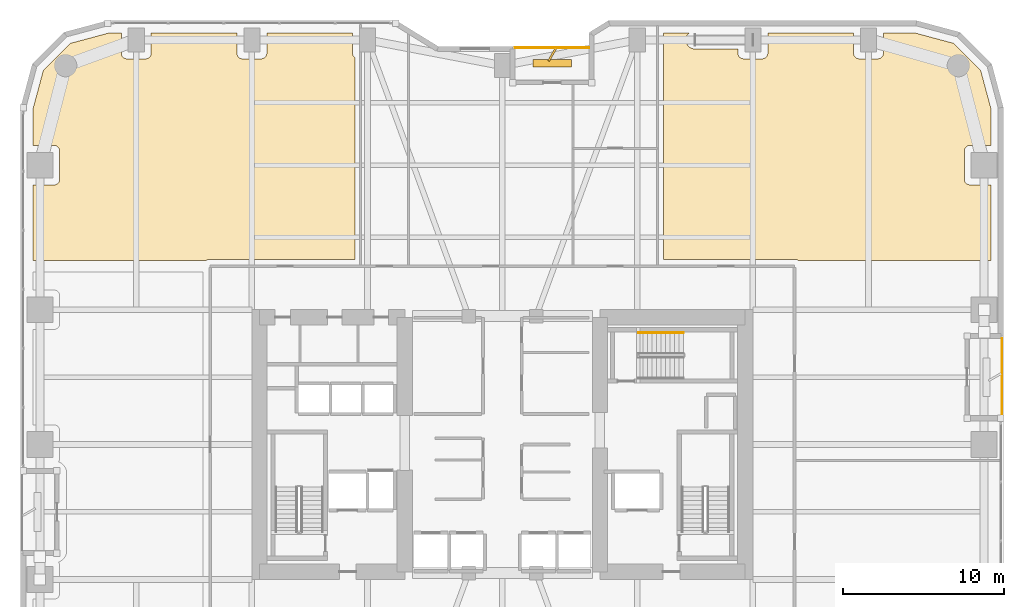
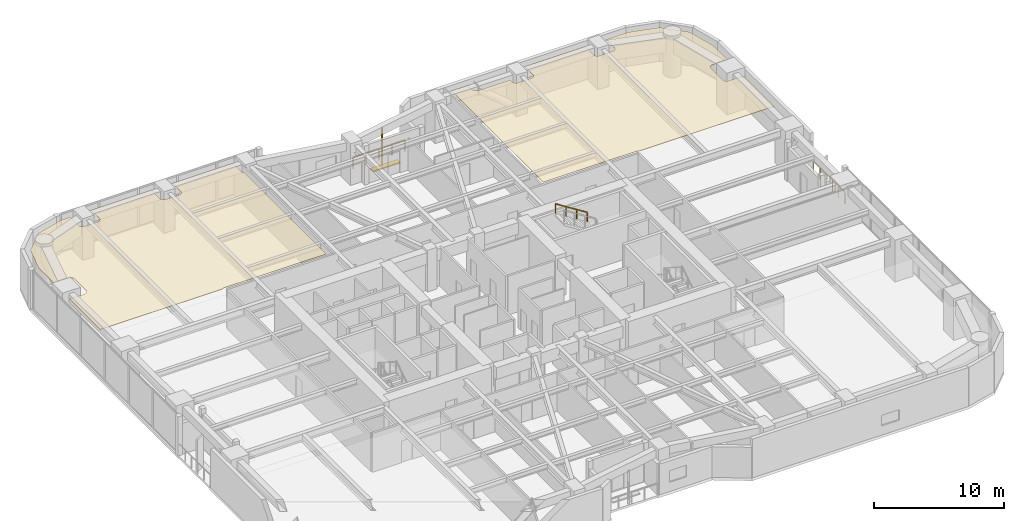
# One storey, part 29 of 29: 3 railings, 2 coverings, 2 shading devices.
"""IFC4 building model written with IfcOpenShell, lengths in metres."""

import ifcopenshell
import ifcopenshell.guid

model = None  # the IFC model being written
_history = None  # IfcOwnerHistory: only IFC2X3 demands one
_inside = {}  # id of a spatial element -> (the spatial element, [elements in it])
_under = {}  # id of a project, library or spatial element -> (it, [spatial elements below it])
_declared = {}  # id of a project -> (the project, [libraries it declares])
_typed = {}  # id of a type object -> (the type object, [elements of that type])
_made_of = {}  # id of a material, layer set ... -> (it, [elements and type objects made of it])


def new_model(schema):
    """Start an empty IFC model of exactly this schema.

    Asked for "IFC4X3", IfcOpenShell would pick the latest addendum, in which some entities
    have other attributes; the version numbers below select the first issue.
    IFC2X3 requires an IfcOwnerHistory on every rooted entity: one is made here for all.
    """
    global model, _history
    if schema == "IFC4X3":
        model = ifcopenshell.file(schema_version=(4, 3, 0, 0))
    else:
        model = ifcopenshell.file(schema=schema)
    _inside.clear()
    _under.clear()
    _declared.clear()
    _typed.clear()
    _made_of.clear()
    _history = None
    if model.schema == "IFC2X3":
        org = make("IfcOrganization", Name="unknown")
        user = make(
            "IfcPersonAndOrganization",
            ThePerson=make("IfcPerson", FamilyName="unknown"),
            TheOrganization=org,
        )
        app = make(
            "IfcApplication",
            ApplicationDeveloper=org,
            Version="unknown",
            ApplicationFullName="unknown",
            ApplicationIdentifier="unknown",
        )
        _history = make(
            "IfcOwnerHistory",
            OwningUser=user,
            OwningApplication=app,
            ChangeAction="ADDED",
            CreationDate=0,
        )
    return model


def make(cls, **values):
    """One entity of the class cls with the attributes given. An attribute that is None is left unset."""
    return model.create_entity(
        cls, **{name: value for name, value in values.items() if value is not None}
    )


def rooted(cls, **values):
    """An entity with a GlobalId (a new one), such as an element, a storey or a relation."""
    return make(cls, GlobalId=ifcopenshell.guid.new(), OwnerHistory=_history, **values)


def si_unit(unit_type, name, prefix=None):
    """IfcSIUnit, for example si_unit("LENGTHUNIT", "METRE", prefix="MILLI")."""
    return make("IfcSIUnit", UnitType=unit_type, Prefix=prefix, Name=name)


def assignment(units):
    """IfcUnitAssignment: the units of a project."""
    return None if units is None else make("IfcUnitAssignment", Units=units)


def point(xyz):
    """IfcCartesianPoint."""
    return None if xyz is None else make("IfcCartesianPoint", Coordinates=xyz)


def direction(xyz):
    """IfcDirection."""
    return None if xyz is None else make("IfcDirection", DirectionRatios=xyz)


def frame(location, z_axis=None, x_axis=None):
    """IfcAxis2Placement3D, a coordinate frame: its origin and axes. An axis left out is left unset."""
    return make(
        "IfcAxis2Placement3D",
        Location=point(location),
        Axis=direction(z_axis),
        RefDirection=direction(x_axis),
    )


def frame_2d(location, x_axis=None):
    """IfcAxis2Placement2D, a coordinate frame in the plane: its origin and x axis."""
    return make(
        "IfcAxis2Placement2D", Location=point(location), RefDirection=direction(x_axis)
    )


def origin():
    """The frame at (0, 0, 0) with its axes left unset."""
    return frame((0.0, 0.0, 0.0))


def origin_2d():
    """The frame at (0, 0) in the plane with its x axis left unset."""
    return frame_2d((0.0, 0.0))


def place(relative_to, where):
    """IfcLocalPlacement: puts the frame where relative to a parent placement (None: the world)."""
    return make(
        "IfcLocalPlacement", PlacementRelTo=relative_to, RelativePlacement=where
    )


def context(
    kind, dimensions, precision=None, world=None, true_north=None, identifier=None
):
    """IfcGeometricRepresentationContext, for example the 3D "Model" context."""
    return make(
        "IfcGeometricRepresentationContext",
        ContextIdentifier=identifier,
        ContextType=kind,
        CoordinateSpaceDimension=dimensions,
        Precision=precision,
        WorldCoordinateSystem=world,
        TrueNorth=true_north,
    )


def subcontext(parent, identifier, kind, view, scale=None):
    """IfcGeometricRepresentationSubContext, for example "Body" below "Model"."""
    return make(
        "IfcGeometricRepresentationSubContext",
        ContextIdentifier=identifier,
        ContextType=kind,
        ParentContext=parent,
        TargetScale=scale,
        TargetView=view,
    )


def project(units=None, contexts=None):
    """IfcProject with its units and contexts."""
    return rooted(
        "IfcProject",
        Name="project",
        RepresentationContexts=contexts,
        UnitsInContext=assignment(units),
    )


def spatial(cls, under=None, at=None, **own):
    """A site, building, storey or space (cls), placed at a placement, below another one or the project."""
    s = rooted(cls, ObjectPlacement=at, **own)
    if under is not None:
        _under.setdefault(under.id(), (under, []))[1].append(s)
    return s


def polyline(points):
    """IfcPolyline through the points."""
    return make("IfcPolyline", Points=[point(p) for p in points])


def profile(cls, at=None, kind="AREA", **sizes):
    """A parametric profile (cls). Its sizes go by their IFC names, for example OverallWidth=200.0."""
    return make(cls, ProfileType=kind, Position=at, **sizes)


def rectangle(**sizes):
    """IfcRectangleProfileDef."""
    return profile("IfcRectangleProfileDef", **sizes)


def outline(outer, holes=None, kind="AREA"):
    """IfcArbitraryClosedProfileDef: a profile drawn as a closed curve; with holes, ...WithVoids."""
    if holes is None:
        return make("IfcArbitraryClosedProfileDef", ProfileType=kind, OuterCurve=outer)
    return make(
        "IfcArbitraryProfileDefWithVoids",
        ProfileType=kind,
        OuterCurve=outer,
        InnerCurves=holes,
    )


def extrude(swept, where, along, depth):
    """IfcExtrudedAreaSolid: the profile swept, set in the frame where, extruded along a direction by depth."""
    return make(
        "IfcExtrudedAreaSolid",
        SweptArea=swept,
        Position=where,
        ExtrudedDirection=direction(along),
        Depth=depth,
    )


def shape(context_of_items, identifier, shape_type, items):
    """IfcShapeRepresentation: the items that make up one representation, for example the "Body"."""
    return make(
        "IfcShapeRepresentation",
        ContextOfItems=context_of_items,
        RepresentationIdentifier=identifier,
        RepresentationType=shape_type,
        Items=items,
    )


def material(Name=None, Category=None):
    """IfcMaterial."""
    return make("IfcMaterial", Name=Name, Category=Category)


def layer(
    of_material, thickness, ventilated=None, Name=None, Category=None, Priority=None
):
    """IfcMaterialLayer: one layer of a wall or slab, of a material (None: an air gap)."""
    return make(
        "IfcMaterialLayer",
        Material=of_material,
        LayerThickness=thickness,
        IsVentilated=ventilated,
        Name=Name,
        Category=Category,
        Priority=Priority,
    )


def layer_set(layers, Name=None):
    """IfcMaterialLayerSet."""
    return make("IfcMaterialLayerSet", MaterialLayers=layers, LayerSetName=Name)


def made_of(thing, what):
    """Note that an element or type object is made of a material, layer set ...; save() writes the relation."""
    if what is not None:
        _made_of.setdefault(what.id(), (what, []))[1].append(thing)
    return thing


def type_object(cls, material=None, **own):
    """A type object (cls), such as IfcWallType, which elements share."""
    return made_of(rooted(cls, **own), material)


def element(
    cls,
    number,
    at=None,
    inside=None,
    cuts=None,
    type_object=None,
    material=None,
    context=None,
    identifier="Body",
    shape_type=None,
    held_by="IfcProductDefinitionShape",
    body=None,
    shapes=None,
    **own,
):
    """One element of the class cls, such as IfcWall. Its Tag is "e" and its number.

    at: its placement. inside: the storey or other place that contains it. cuts: it is an
    opening in that element (IfcRelVoidsElement). A single representation is given by context,
    identifier, shape_type and body (its items); several are given by shapes. held_by: the class
    of the entity that holds the representations. save() writes the other relations.
    """
    e = rooted(cls, Tag="e%d" % number, ObjectPlacement=at, **own)
    if body is not None:
        shapes = [shape(context, identifier, shape_type, body)]
    if shapes is not None:
        e.Representation = make(held_by, Representations=shapes)
    if inside is not None:
        _inside.setdefault(inside.id(), (inside, []))[1].append(e)
    if cuts is not None:
        rooted(
            "IfcRelVoidsElement", RelatingBuildingElement=cuts, RelatedOpeningElement=e
        )
    if type_object is not None:
        _typed.setdefault(type_object.id(), (type_object, []))[1].append(e)
    return made_of(e, material)


def aggregate(whole, parts):
    """IfcRelAggregates: a whole, such as a stair, and the parts it consists of."""
    return rooted("IfcRelAggregates", RelatingObject=whole, RelatedObjects=parts)


def save(model, path):
    """Write the relations noted so far, then the file.

    IfcRelAggregates (storeys below a building ...), IfcRelContainedInSpatialStructure (elements
    in a storey), IfcRelDefinesByType, IfcRelAssociatesMaterial and IfcRelDeclares: one each for
    every whole, place, type object, material and project.
    """
    for whole, parts in _under.values():
        aggregate(whole, parts)
    for where, things in _inside.values():
        rooted(
            "IfcRelContainedInSpatialStructure",
            RelatedElements=things,
            RelatingStructure=where,
        )
    for kind, things in _typed.values():
        rooted("IfcRelDefinesByType", RelatedObjects=things, RelatingType=kind)
    for what, things in _made_of.values():
        rooted("IfcRelAssociatesMaterial", RelatedObjects=things, RelatingMaterial=what)
    for by, libraries in _declared.values():
        rooted("IfcRelDeclares", RelatingContext=by, RelatedDefinitions=libraries)
    model.write(path)


model = new_model("IFC4")

# Units and contexts
model_context = context("Model", 3, precision=1e-05, world=origin(), true_north=direction((0.0, 1.0)))
body_context = subcontext(model_context, "Body", "Model", "MODEL_VIEW")
ifc_project = project(units=[si_unit("LENGTHUNIT", "METRE"), si_unit("AREAUNIT", "SQUARE_METRE"), si_unit("VOLUMEUNIT", "CUBIC_METRE"), si_unit("PLANEANGLEUNIT", "RADIAN"), si_unit("MASSUNIT", "GRAM", prefix="KILO")], contexts=[model_context])

# Site, building, storey
site_placement = place(None, origin())
site = spatial("IfcSite", under=ifc_project, at=site_placement, CompositionType="ELEMENT")
building_placement = place(site_placement, origin())
building = spatial("IfcBuilding", under=site, at=building_placement, Name="Kiyonajd Concourse Tower", CompositionType="ELEMENT")
storey_placement = place(building_placement, frame((0.0, 0.0, 52.800048828125)))
storey = spatial("IfcBuildingStorey", under=building, at=storey_placement, Name="L14", CompositionType="ELEMENT", Elevation=52.800048828125)

# Coverings
ifc_material_1 = material(Name="Natural Oak Acoustic Timber Veneer", Category="wood")
ifc_layer = layer(ifc_material_1, 0.0400390625)
ifc_layer_set = layer_set([ifc_layer], Name="Natural Oak Acoustic Timber Veneer")
covering_type = type_object("IfcCoveringType", Name="CV-CLG-ACST", PredefinedType="CEILING", material=ifc_layer_set)
covering_1_placement = place(storey_placement, frame((0.0, 0.0, 3.4599609375)))
element("IfcCovering", 1, at=covering_1_placement, inside=storey, type_object=covering_type, Name="L14-46 Room Acoustic Ceiling", PredefinedType="CEILING", context=body_context, shape_type="SweptSolid", body=[
    extrude(outline(polyline([(21.097900390625, 60.986083984375), (23.5009765625, 61.6298828125), (24.27001953125, 61.6298828125), (24.27197265625, 60.3359375), (24.297119140625, 60.236083984375), (24.3291015625, 60.176025390625), (24.373046875, 60.123046875), (24.426025390625, 60.0791015625), (24.486083984375, 60.047119140625), (24.5859375, 60.02197265625), (25.81396484375, 60.02197265625), (25.9140625, 60.047119140625), (26.001953125, 60.09912109375), (26.051025390625, 60.14794921875), (26.089111328125, 60.205078125), (26.123046875, 60.302001953125), (26.1298828125, 60.3701171875), (26.1298828125, 61.6298828125), (31.469970703125, 61.6298828125), (31.471923828125, 60.3359375), (31.4970703125, 60.236083984375), (31.529052734375, 60.176025390625), (31.572998046875, 60.123046875), (31.6259765625, 60.0791015625), (31.68603515625, 60.047119140625), (31.785888671875, 60.02197265625), (32.97998046875, 60.02001953125), (33.048095703125, 60.027099609375), (33.114013671875, 60.047119140625), (33.201904296875, 60.09912109375), (33.2509765625, 60.14794921875), (33.2890625, 60.205078125), (33.322998046875, 60.302001953125), (33.330078125, 60.3701171875), (33.330078125, 61.6298828125), (38.669921875, 61.6298828125), (38.672119140625, 60.3359375), (38.68505859375, 60.26806640625), (38.7109375, 60.205078125), (38.7490234375, 60.14794921875), (38.81005859375, 60.091064453125), (38.81005859375, 47.5400390625), (29.800048828125, 47.5400390625), (29.669921875, 47.52001953125), (29.60693359375, 47.493896484375), (29.552001953125, 47.4599609375), (18.77001953125, 47.4599609375), (18.77001953125, 52.169921875), (20.080078125, 52.169921875), (20.14794921875, 52.177001953125), (20.2451171875, 52.2109375), (20.302001953125, 52.2490234375), (20.35107421875, 52.298095703125), (20.388916015625, 52.35498046875), (20.4150390625, 52.41796875), (20.429931640625, 52.52001953125), (20.429931640625, 54.280029296875), (20.4150390625, 54.382080078125), (20.388916015625, 54.445068359375), (20.35107421875, 54.501953125), (20.302001953125, 54.551025390625), (20.2451171875, 54.589111328125), (20.181884765625, 54.614990234375), (20.114013671875, 54.6279296875), (18.77001953125, 54.6298828125), (18.77001953125, 56.89892578125), (19.4140625, 59.302001953125), (21.097900390625, 60.986083984375)])), origin(), (0.0, 0.0, 1.0), 0.0400390625),
])
covering_2_placement = place(storey_placement, frame((0.0, 0.0, 3.4599609375)))
element("IfcCovering", 2, at=covering_2_placement, inside=storey, type_object=covering_type, Name="L14-51 Room Acoustic Ceiling", PredefinedType="CEILING", context=body_context, shape_type="SweptSolid", body=[
    extrude(outline(polyline([(58.030029296875, 47.5400390625), (58.030029296875, 61.6298828125), (59.6259765625, 61.6298828125), (59.5390625, 61.533935546875), (59.498046875, 61.469970703125), (59.467041015625, 61.40087890625), (59.43603515625, 61.27490234375), (59.429931640625, 61.199951171875), (59.43603515625, 61.125), (59.467041015625, 60.9990234375), (59.498046875, 60.929931640625), (59.5390625, 60.865966796875), (59.637939453125, 60.759033203125), (59.759033203125, 60.68408203125), (59.87109375, 60.64501953125), (59.97802734375, 60.631103515625), (62.669921875, 60.6298828125), (62.672119140625, 60.3359375), (62.68505859375, 60.26806640625), (62.7109375, 60.205078125), (62.77294921875, 60.123046875), (62.85498046875, 60.06103515625), (62.91796875, 60.034912109375), (63.02001953125, 60.02001953125), (64.214111328125, 60.02197265625), (64.31396484375, 60.047119140625), (64.3740234375, 60.0791015625), (64.427001953125, 60.123046875), (64.489013671875, 60.205078125), (64.514892578125, 60.26806640625), (64.528076171875, 60.3359375), (64.530029296875, 61.6298828125), (69.8701171875, 61.6298828125), (69.8701171875, 60.3701171875), (69.876953125, 60.302001953125), (69.89697265625, 60.236083984375), (69.928955078125, 60.176025390625), (69.998046875, 60.09912109375), (70.0859375, 60.047119140625), (70.18603515625, 60.02197265625), (71.4140625, 60.02197265625), (71.513916015625, 60.047119140625), (71.573974609375, 60.0791015625), (71.626953125, 60.123046875), (71.68896484375, 60.205078125), (71.715087890625, 60.26806640625), (71.72802734375, 60.3359375), (71.72998046875, 61.6298828125), (73.698974609375, 61.6298828125), (76.10205078125, 60.986083984375), (77.785888671875, 59.302001953125), (78.429931640625, 56.89892578125), (78.429931640625, 54.6298828125), (77.1201171875, 54.6298828125), (77.052001953125, 54.623046875), (76.986083984375, 54.60302734375), (76.926025390625, 54.571044921875), (76.84912109375, 54.501953125), (76.81103515625, 54.445068359375), (76.784912109375, 54.382080078125), (76.77001953125, 54.280029296875), (76.77001953125, 52.52001953125), (76.784912109375, 52.41796875), (76.81103515625, 52.35498046875), (76.84912109375, 52.298095703125), (76.89794921875, 52.2490234375), (76.955078125, 52.2109375), (77.01806640625, 52.18505859375), (77.0859375, 52.172119140625), (78.429931640625, 52.169921875), (78.429931640625, 47.4599609375), (66.447998046875, 47.4599609375), (66.39306640625, 47.493896484375), (66.330078125, 47.52001953125), (66.199951171875, 47.5400390625), (58.030029296875, 47.5400390625)])), origin(), (0.0, 0.0, 1.0), 0.0400390625),
])

# Railings
ifc_material_2 = material(Name="Thermally Broken Anodised Aluminium", Category="aluminium")
railing_type_1 = type_object("IfcRailingType", Name="RL-GRD-LOG", PredefinedType="GUARDRAIL", material=ifc_material_2)
railing_1_placement = place(storey_placement, frame((53.39990234375, 60.719970703125, 0.0)))
element("IfcRailing", 3, at=railing_1_placement, inside=storey, type_object=railing_type_1, Name="L14 Engawa Loggia Perimeter Guard LOG-N", PredefinedType="GUARDRAIL", context=body_context, shape_type="SweptSolid", body=[
    extrude(rectangle(XDim=0.048095703125, YDim=0.048095703125, at=origin_2d()), frame((0.0, 0.0, 1.076171875), z_axis=(-1.0, 0.0, 0.0), x_axis=(0.0, -1.0, 0.0)), (0.0, 0.0, 1.0), 4.599853515625),
    extrude(rectangle(XDim=0.0419921875, YDim=0.0419921875, at=origin_2d()), origin(), (0.0, 0.0, 1.0), 1.052001953125),
    extrude(rectangle(XDim=0.0419921875, YDim=0.0419921875, at=origin_2d()), frame((-1.14990234375, 0.0, 0.0)), (0.0, 0.0, 1.0), 1.052001953125),
    extrude(rectangle(XDim=0.0419921875, YDim=0.0419921875, at=origin_2d()), frame((-2.2998046875, 0.0, 0.0)), (0.0, 0.0, 1.0), 1.052001953125),
    extrude(rectangle(XDim=0.0419921875, YDim=0.0419921875, at=origin_2d()), frame((-3.449951171875, 0.0, 0.0)), (0.0, 0.0, 1.0), 1.052001953125),
    extrude(rectangle(XDim=0.0419921875, YDim=0.0419921875, at=origin_2d()), frame((-4.599853515625, 0.0, 0.0)), (0.0, 0.0, 1.0), 1.052001953125),
])
railing_2_placement = place(storey_placement, frame((79.1201171875, 37.800048828125, 0.0)))
element("IfcRailing", 4, at=railing_2_placement, inside=storey, type_object=railing_type_1, Name="L14 Engawa Loggia Perimeter Guard LOG-E", PredefinedType="GUARDRAIL", context=body_context, shape_type="SweptSolid", body=[
    extrude(rectangle(XDim=0.048095703125, YDim=0.048095703125, at=origin_2d()), frame((0.0, 0.0, 1.076171875), z_axis=(0.0, 1.0, 0.0), x_axis=(-1.0, 0.0, 0.0)), (0.0, 0.0, 1.0), 4.800048828125),
    extrude(rectangle(XDim=0.0419921875, YDim=0.0419921875, at=origin_2d()), origin(), (0.0, 0.0, 1.0), 1.052001953125),
    extrude(rectangle(XDim=0.0419921875, YDim=0.0419921875, at=origin_2d()), frame((0.0, 0.9599609375, 0.0)), (0.0, 0.0, 1.0), 1.052001953125),
    extrude(rectangle(XDim=0.0419921875, YDim=0.0419921875, at=origin_2d()), frame((0.0, 1.919921875, 0.0)), (0.0, 0.0, 1.0), 1.052001953125),
    extrude(rectangle(XDim=0.0419921875, YDim=0.0419921875, at=origin_2d()), frame((0.0, 2.880126953125, 0.0)), (0.0, 0.0, 1.0), 1.052001953125),
    extrude(rectangle(XDim=0.0419921875, YDim=0.0419921875, at=origin_2d()), frame((0.0, 3.840087890625, 0.0)), (0.0, 0.0, 1.0), 1.052001953125),
    extrude(rectangle(XDim=0.0419921875, YDim=0.0419921875, at=origin_2d()), frame((0.0, 4.800048828125, 0.0)), (0.0, 0.0, 1.0), 1.052001953125),
])
ifc_material_3 = material(Name="Brushed Stainless Steel Cab Assembly", Category="steel")
railing_type_2 = type_object("IfcRailingType", Name="RL-HND-900", PredefinedType="HANDRAIL", material=ifc_material_3)
railing_3_placement = place(storey_placement, frame((59.280029296875, 42.969970703125, 2.127197265625)))
element("IfcRailing", 5, at=railing_3_placement, inside=storey, type_object=railing_type_2, Name="L14 ST3 stair handrail 2", PredefinedType="HANDRAIL", context=body_context, shape_type="SweptSolid", body=[
    extrude(rectangle(XDim=0.048095703125, YDim=0.048095703125, at=origin_2d()), frame((0.0, 0.0, 0.8759765625), z_axis=(-0.844908973607, 0.0, 0.534910110503), x_axis=(0.0, -1.0, 0.0)), (0.0, 0.0, 1.0), 3.31396484375),
    extrude(rectangle(XDim=0.0419921875, YDim=0.0419921875, at=origin_2d()), origin(), (0.0, 0.0, 1.0), 0.851806640625),
    extrude(rectangle(XDim=0.0419921875, YDim=0.0419921875, at=origin_2d()), frame((-0.933349609375, 0.0, 0.5908203125)), (0.0, 0.0, 1.0), 0.851806640625),
    extrude(rectangle(XDim=0.0419921875, YDim=0.0419921875, at=origin_2d()), frame((-1.86669921875, 0.0, 1.181884765625)), (0.0, 0.0, 1.0), 0.851806640625),
    extrude(rectangle(XDim=0.0419921875, YDim=0.0419921875, at=origin_2d()), frame((-2.800048828125, 0.0, 1.772705078125)), (0.0, 0.0, 1.0), 0.851806640625),
])

# Shading devices
ifc_material_4 = material(Name="Precast concrete C50/60", Category="concrete")
shading_device_type_1 = type_object("IfcShadingDeviceType", Name="SH-FIN-900", PredefinedType="USERDEFINED", material=ifc_material_4)
shading_device_1_placement = place(storey_placement, frame((51.10009765625, 60.27001953125, 0.0), z_axis=(0.0, 0.0, 1.0), x_axis=(0.5, 0.866025403784, 0.0)))
element("IfcShadingDevice", 6, at=shading_device_1_placement, inside=storey, type_object=shading_device_type_1, Name="L14 Angled Koshi Solar Fin LOG-N", ObjectType="FIN", PredefinedType="USERDEFINED", context=body_context, shape_type="SweptSolid", body=[
    extrude(rectangle(XDim=0.89990234375, YDim=0.1201171875, at=origin_2d()), origin(), (0.0, 0.0, 1.0), 3.0),
])
shading_device_type_2 = type_object("IfcShadingDeviceType", Name="SH-LVR-600", PredefinedType="JALOUSIE", material=ifc_material_2)
shading_device_2_placement = place(storey_placement, frame((51.10009765625, 59.75, 0.0), z_axis=(0.0, 0.0, 1.0), x_axis=(1.0, 0.0, 0.0)))
element("IfcShadingDevice", 7, at=shading_device_2_placement, inside=storey, type_object=shading_device_type_2, Name="L14 Loggia Threshold Louver LOG-N", PredefinedType="JALOUSIE", context=body_context, shape_type="SweptSolid", body=[
    extrude(rectangle(XDim=2.39990234375, YDim=0.449951171875, at=origin_2d()), origin(), (0.0, 0.0, 1.0), 0.10009765625),
])

save(model, "model.ifc")
